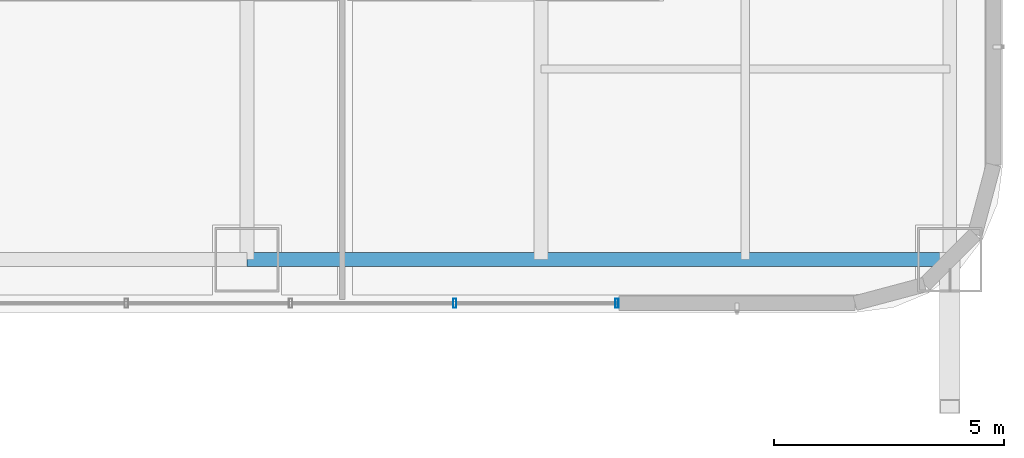
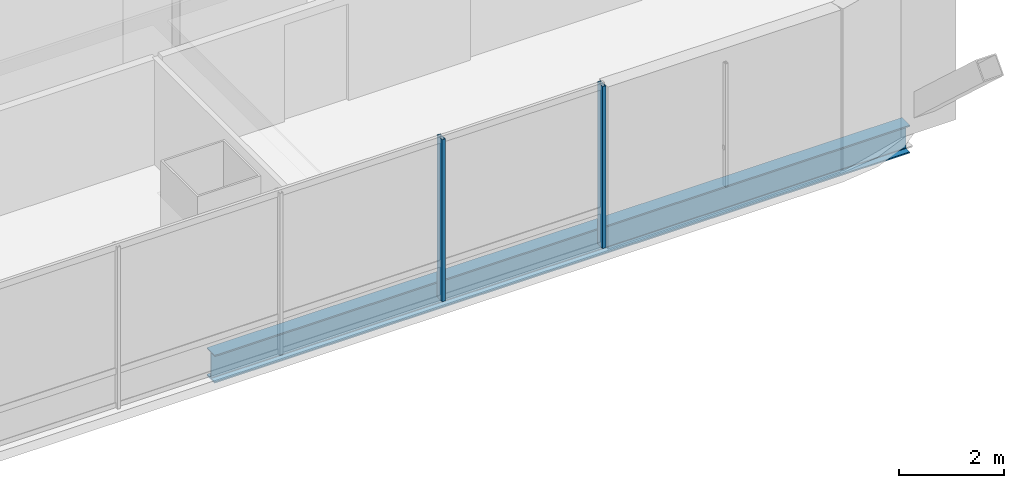
# One storey, part 14 of 47: 2 members, 1 beam, 1 element without a shape of its own.
"""IFC4 building model written with IfcOpenShell, lengths in metres."""

from ifc_helpers import new_model, si_unit, direction, frame, origin, origin_2d, place, context, subcontext, project, spatial, hollow_rectangle, i_section, extrude, material, material_profile, profile_set, type_object, element, aggregate, save


model = new_model("IFC4")

# Units and contexts
model_context = context("Model", 3, precision=1e-05, world=origin(), true_north=direction((0.0, 1.0)))
body_context = subcontext(model_context, "Body", "Model", "MODEL_VIEW")
ifc_project = project(units=[si_unit("LENGTHUNIT", "METRE"), si_unit("AREAUNIT", "SQUARE_METRE"), si_unit("VOLUMEUNIT", "CUBIC_METRE"), si_unit("PLANEANGLEUNIT", "RADIAN"), si_unit("MASSUNIT", "GRAM", prefix="KILO")], contexts=[model_context])

# Site, building, storey
site_placement = place(None, origin())
site = spatial("IfcSite", under=ifc_project, at=site_placement, CompositionType="ELEMENT")
building_placement = place(site_placement, origin())
building = spatial("IfcBuilding", under=site, at=building_placement, Name="Punatoya Terracotta Tower", CompositionType="ELEMENT")
storey_placement = place(building_placement, frame((0.0, 0.0, 168.14990234375)))
storey = spatial("IfcBuildingStorey", under=building, at=storey_placement, Name="L39", CompositionType="ELEMENT", Elevation=168.14990234375)

# Beam
ifc_material_1 = material(Name="Steel S355", Category="steel")
ifc_material_profile_1 = material_profile(ifc_material_1, i_section(OverallWidth=0.300048828125, OverallDepth=0.64990234375, WebThickness=0.01611328125, FlangeThickness=0.031005859375, FilletRadius=0.01806640625, at=origin_2d()))
ifc_profile_set_1 = profile_set([ifc_material_profile_1], Name="Steel S355")
beam_type = type_object("IfcBeamType", Name="BM-PRI-650", PredefinedType="BEAM", material=ifc_profile_set_1)
beam_placement = place(storey_placement, frame((3.800048828125, -17.5, -0.544921875), z_axis=(1.0, 0.0, 0.0), x_axis=(0.0, 1.0, 0.0)))
element("IfcBeam", 1, at=beam_placement, inside=storey, type_object=beam_type, Name="BM-L39-RG-S3", PredefinedType="BEAM", context=body_context, shape_type="SweptSolid", body=[
    extrude(i_section(OverallWidth=0.300048828125, OverallDepth=0.64990234375, WebThickness=0.01611328125, FlangeThickness=0.031005859375, FilletRadius=0.01806640625, at=origin_2d()), origin(), (0.0, 0.0, 1.0), 15.300048828125),
])

# Curtain wall, members
ifc_material_2 = material(Name="Aluminium 6063-T6 + Double Low-E Glass", Category="aluminium")
curtain_wall_type = type_object("IfcCurtainWallType", Name="CW-M2", PredefinedType="NOTDEFINED", material=ifc_material_2)
curtain_wall_placement = place(storey_placement, origin())
curtain_wall = element("IfcCurtainWall", 2, at=curtain_wall_placement, inside=storey, type_object=curtain_wall_type, Name="L39 Curtain Wall CW-L39-S01-1", PredefinedType="NOTDEFINED")
ifc_material_3 = material(Name="Aluminium 6063-T6", Category="aluminium")
ifc_material_profile_2 = material_profile(ifc_material_3, hollow_rectangle(XDim=0.072021484375, YDim=0.195068359375, WallThickness=0.00439453125, at=origin_2d()))
ifc_profile_set_2 = profile_set([ifc_material_profile_2], Name="Aluminium 6063-T6")
member_type = type_object("IfcMemberType", Name="CW-MUL-M2", PredefinedType="MULLION", material=ifc_profile_set_2)
member_1_placement = place(storey_placement, frame((8.324951171875, -18.449951171875, 0.0), z_axis=(0.0, 0.0, 1.0), x_axis=(1.0, 0.0, 0.0)))
member_1 = element("IfcMember", 3, at=member_1_placement, type_object=member_type, Name="CW-L39-S01-1 Mullion 07", PredefinedType="MULLION", context=body_context, shape_type="SweptSolid", body=[
    extrude(hollow_rectangle(XDim=0.072021484375, YDim=0.195068359375, WallThickness=0.00439453125, at=origin_2d()), origin(), (0.0, 0.0, 1.0), 3.77001953125),
])
member_2_placement = place(storey_placement, frame((11.85498046875, -18.449951171875, 0.0), z_axis=(0.0, 0.0, 1.0), x_axis=(1.0, 0.0, 0.0)))
member_2 = element("IfcMember", 4, at=member_2_placement, type_object=member_type, Name="CW-L39-S01-1 Mullion 08", PredefinedType="MULLION", context=body_context, shape_type="SweptSolid", body=[
    extrude(hollow_rectangle(XDim=0.072021484375, YDim=0.195068359375, WallThickness=0.00439453125, at=origin_2d()), origin(), (0.0, 0.0, 1.0), 3.77001953125),
])
aggregate(curtain_wall, [member_1, member_2])

save(model, "model.ifc")
